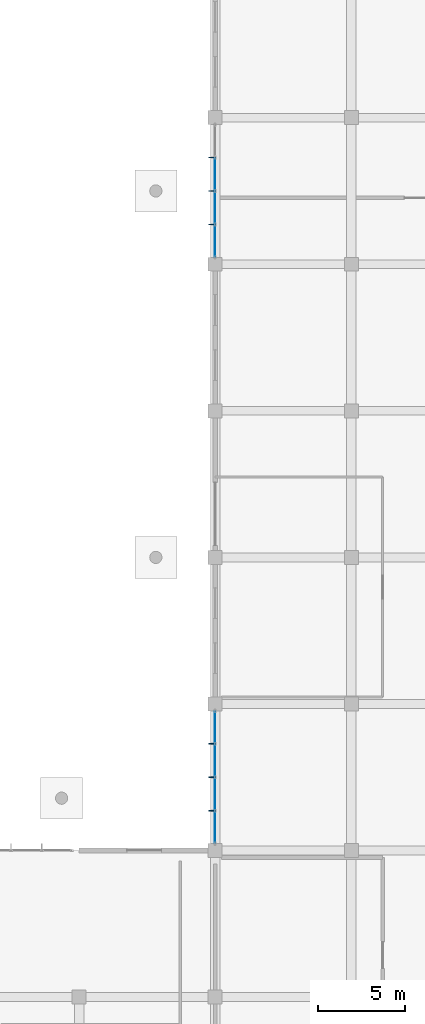
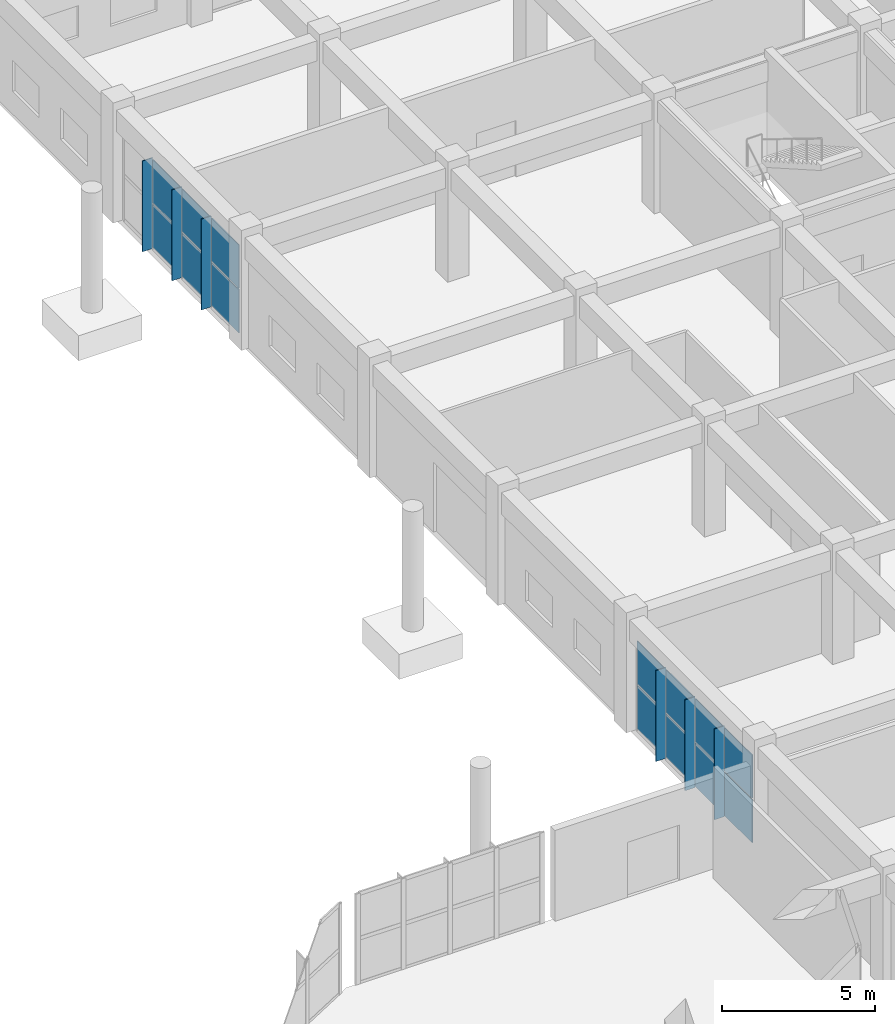
# One storey, part 106 of 139: 20 plates, 2 elements without a shape of their own.
"""IFC4 building model written with IfcOpenShell, lengths in metres."""

from ifc_helpers import new_model, si_unit, direction, frame, origin, origin_2d, place, context, subcontext, project, spatial, polyline, rectangle, outline, extrude, material, layer, layer_set, type_object, element, aggregate, save


model = new_model("IFC4")

# Units and contexts
model_context = context("Model", 3, precision=1e-05, world=origin(), true_north=direction((0.0, 1.0)))
body_context = subcontext(model_context, "Body", "Model", "MODEL_VIEW")
ifc_project = project(units=[si_unit("LENGTHUNIT", "METRE"), si_unit("AREAUNIT", "SQUARE_METRE"), si_unit("VOLUMEUNIT", "CUBIC_METRE"), si_unit("PLANEANGLEUNIT", "RADIAN"), si_unit("MASSUNIT", "GRAM", prefix="KILO")], contexts=[model_context])

# Site, building, storey
site_placement = place(None, origin())
site = spatial("IfcSite", under=ifc_project, at=site_placement, CompositionType="ELEMENT")
building_placement = place(site_placement, origin())
building = spatial("IfcBuilding", under=site, at=building_placement, Name="Zizhar Promenade General Hospital", CompositionType="ELEMENT")
storey_placement = place(building_placement, origin())
storey = spatial("IfcBuildingStorey", under=building, at=storey_placement, Name="L00", CompositionType="ELEMENT", Elevation=0.0)

# Curtain wall, plates
ifc_material_1 = material(Name="Anodised aluminium 6063-T6 and low-E glass", Category="aluminium")
ifc_layer_1 = layer(ifc_material_1, 0.159912109375)
ifc_layer_set_1 = layer_set([ifc_layer_1], Name="Anodised aluminium 6063-T6 and low-E glass")
curtain_wall_type = type_object("IfcCurtainWallType", Name="CW-DT-MOD1", PredefinedType="NOTDEFINED", material=ifc_layer_set_1)
curtain_wall_1_placement = place(storey_placement, origin())
curtain_wall_1 = element("IfcCurtainWall", 1, at=curtain_wall_1_placement, inside=storey, type_object=curtain_wall_type, Name="Surgical West Glazed Curtain Wall L00-10", PredefinedType="NOTDEFINED")
ifc_material_2 = material(Name="Low-E solar-control glass", Category="glass")
ifc_layer_2 = layer(ifc_material_2, 0.031982421875)
ifc_layer_set_2 = layer_set([ifc_layer_2], Name="Low-E solar-control glass")
plate_type_1 = type_object("IfcPlateType", Name="CWP-GLZ-32", PredefinedType="CURTAIN_PANEL", material=ifc_layer_set_2)
plate_1_placement = place(storey_placement, frame((46.800048828125, 85.340087890625, 0.06005859375), z_axis=(0.0, 0.0, 1.0), x_axis=(0.0, 1.0, 0.0)))
plate_1 = element("IfcPlate", 2, at=plate_1_placement, type_object=plate_type_1, Name="CW-07 panel 1.1", PredefinedType="CURTAIN_PANEL", context=body_context, shape_type="SweptSolid", body=[
    extrude(rectangle(XDim=1.800048828125, YDim=0.031982421875, at=origin_2d()), origin(), (0.0, 0.0, 1.0), 1.72509765625),
])
plate_2_placement = place(storey_placement, frame((46.800048828125, 85.340087890625, 1.844970703125), z_axis=(0.0, 0.0, 1.0), x_axis=(0.0, 1.0, 0.0)))
plate_2 = element("IfcPlate", 3, at=plate_2_placement, type_object=plate_type_1, Name="CW-07 panel 1.2", PredefinedType="CURTAIN_PANEL", context=body_context, shape_type="SweptSolid", body=[
    extrude(rectangle(XDim=1.800048828125, YDim=0.031982421875, at=origin_2d()), origin(), (0.0, 0.0, 1.0), 1.72509765625),
])
plate_3_placement = place(storey_placement, frame((46.800048828125, 87.239990234375, 0.06005859375), z_axis=(0.0, 0.0, 1.0), x_axis=(0.0, 1.0, 0.0)))
plate_3 = element("IfcPlate", 4, at=plate_3_placement, type_object=plate_type_1, Name="CW-07 panel 2.1", PredefinedType="CURTAIN_PANEL", context=body_context, shape_type="SweptSolid", body=[
    extrude(rectangle(XDim=1.840087890625, YDim=0.031982421875, at=origin_2d()), origin(), (0.0, 0.0, 1.0), 1.72509765625),
])
plate_4_placement = place(storey_placement, frame((46.800048828125, 87.239990234375, 1.844970703125), z_axis=(0.0, 0.0, 1.0), x_axis=(0.0, 1.0, 0.0)))
plate_4 = element("IfcPlate", 5, at=plate_4_placement, type_object=plate_type_1, Name="CW-07 panel 2.2", PredefinedType="CURTAIN_PANEL", context=body_context, shape_type="SweptSolid", body=[
    extrude(rectangle(XDim=1.840087890625, YDim=0.031982421875, at=origin_2d()), origin(), (0.0, 0.0, 1.0), 1.72509765625),
])
plate_5_placement = place(storey_placement, frame((46.800048828125, 89.159912109375, 0.06005859375), z_axis=(0.0, 0.0, 1.0), x_axis=(0.0, 1.0, 0.0)))
plate_5 = element("IfcPlate", 6, at=plate_5_placement, type_object=plate_type_1, Name="CW-07 panel 3.1", PredefinedType="CURTAIN_PANEL", context=body_context, shape_type="SweptSolid", body=[
    extrude(rectangle(XDim=1.840087890625, YDim=0.031982421875, at=origin_2d()), origin(), (0.0, 0.0, 1.0), 1.72509765625),
])
plate_6_placement = place(storey_placement, frame((46.800048828125, 89.159912109375, 1.844970703125), z_axis=(0.0, 0.0, 1.0), x_axis=(0.0, 1.0, 0.0)))
plate_6 = element("IfcPlate", 7, at=plate_6_placement, type_object=plate_type_1, Name="CW-07 panel 3.2", PredefinedType="CURTAIN_PANEL", context=body_context, shape_type="SweptSolid", body=[
    extrude(rectangle(XDim=1.840087890625, YDim=0.031982421875, at=origin_2d()), origin(), (0.0, 0.0, 1.0), 1.72509765625),
])
plate_7_placement = place(storey_placement, frame((46.800048828125, 91.06005859375, 0.06005859375), z_axis=(0.0, 0.0, 1.0), x_axis=(0.0, 1.0, 0.0)))
plate_7 = element("IfcPlate", 8, at=plate_7_placement, type_object=plate_type_1, Name="CW-07 panel 4.1", PredefinedType="CURTAIN_PANEL", context=body_context, shape_type="SweptSolid", body=[
    extrude(rectangle(XDim=1.800048828125, YDim=0.031982421875, at=origin_2d()), origin(), (0.0, 0.0, 1.0), 1.72509765625),
])
plate_8_placement = place(storey_placement, frame((46.800048828125, 91.06005859375, 1.844970703125), z_axis=(0.0, 0.0, 1.0), x_axis=(0.0, 1.0, 0.0)))
plate_8 = element("IfcPlate", 9, at=plate_8_placement, type_object=plate_type_1, Name="CW-07 panel 4.2", PredefinedType="CURTAIN_PANEL", context=body_context, shape_type="SweptSolid", body=[
    extrude(rectangle(XDim=1.800048828125, YDim=0.031982421875, at=origin_2d()), origin(), (0.0, 0.0, 1.0), 1.72509765625),
])
aggregate(curtain_wall_1, [plate_1, plate_2, plate_3, plate_4, plate_5, plate_6, plate_7, plate_8])

curtain_wall_2_placement = place(storey_placement, origin())
curtain_wall_2 = element("IfcCurtainWall", 10, at=curtain_wall_2_placement, inside=storey, type_object=curtain_wall_type, Name="Surgical West Glazed Curtain Wall L00-14", PredefinedType="NOTDEFINED")
plate_9_placement = place(storey_placement, frame((46.800048828125, 118.93994140625, 0.06005859375), z_axis=(0.0, 0.0, 1.0), x_axis=(0.0, 1.0, 0.0)))
plate_9 = element("IfcPlate", 11, at=plate_9_placement, type_object=plate_type_1, Name="CW-07 panel 1.1", PredefinedType="CURTAIN_PANEL", context=body_context, shape_type="SweptSolid", body=[
    extrude(rectangle(XDim=1.800048828125, YDim=0.031982421875, at=origin_2d()), origin(), (0.0, 0.0, 1.0), 1.72509765625),
])
plate_10_placement = place(storey_placement, frame((46.800048828125, 118.93994140625, 1.844970703125), z_axis=(0.0, 0.0, 1.0), x_axis=(0.0, 1.0, 0.0)))
plate_10 = element("IfcPlate", 12, at=plate_10_placement, type_object=plate_type_1, Name="CW-07 panel 1.2", PredefinedType="CURTAIN_PANEL", context=body_context, shape_type="SweptSolid", body=[
    extrude(rectangle(XDim=1.800048828125, YDim=0.031982421875, at=origin_2d()), origin(), (0.0, 0.0, 1.0), 1.72509765625),
])
plate_11_placement = place(storey_placement, frame((46.800048828125, 120.840087890625, 0.06005859375), z_axis=(0.0, 0.0, 1.0), x_axis=(0.0, 1.0, 0.0)))
plate_11 = element("IfcPlate", 13, at=plate_11_placement, type_object=plate_type_1, Name="CW-07 panel 2.1", PredefinedType="CURTAIN_PANEL", context=body_context, shape_type="SweptSolid", body=[
    extrude(rectangle(XDim=1.840087890625, YDim=0.031982421875, at=origin_2d()), origin(), (0.0, 0.0, 1.0), 1.72509765625),
])
plate_12_placement = place(storey_placement, frame((46.800048828125, 120.840087890625, 1.844970703125), z_axis=(0.0, 0.0, 1.0), x_axis=(0.0, 1.0, 0.0)))
plate_12 = element("IfcPlate", 14, at=plate_12_placement, type_object=plate_type_1, Name="CW-07 panel 2.2", PredefinedType="CURTAIN_PANEL", context=body_context, shape_type="SweptSolid", body=[
    extrude(rectangle(XDim=1.840087890625, YDim=0.031982421875, at=origin_2d()), origin(), (0.0, 0.0, 1.0), 1.72509765625),
])
plate_13_placement = place(storey_placement, frame((46.800048828125, 122.760009765625, 0.06005859375), z_axis=(0.0, 0.0, 1.0), x_axis=(0.0, 1.0, 0.0)))
plate_13 = element("IfcPlate", 15, at=plate_13_placement, type_object=plate_type_1, Name="CW-07 panel 3.1", PredefinedType="CURTAIN_PANEL", context=body_context, shape_type="SweptSolid", body=[
    extrude(rectangle(XDim=1.840087890625, YDim=0.031982421875, at=origin_2d()), origin(), (0.0, 0.0, 1.0), 1.72509765625),
])
plate_14_placement = place(storey_placement, frame((46.800048828125, 122.760009765625, 1.844970703125), z_axis=(0.0, 0.0, 1.0), x_axis=(0.0, 1.0, 0.0)))
plate_14 = element("IfcPlate", 16, at=plate_14_placement, type_object=plate_type_1, Name="CW-07 panel 3.2", PredefinedType="CURTAIN_PANEL", context=body_context, shape_type="SweptSolid", body=[
    extrude(rectangle(XDim=1.840087890625, YDim=0.031982421875, at=origin_2d()), origin(), (0.0, 0.0, 1.0), 1.72509765625),
])
aggregate(curtain_wall_2, [plate_9, plate_10, plate_11, plate_12, plate_13, plate_14])

# Plates
ifc_material_3 = material(Name="Anodised aluminium 6063-T6", Category="aluminium")
ifc_layer_3 = layer(ifc_material_3, 0.035888671875)
ifc_layer_set_3 = layer_set([ifc_layer_3], Name="Anodised aluminium 6063-T6")
plate_type_2 = type_object("IfcPlateType", Name="FIN-ALU-380", PredefinedType="USERDEFINED", material=ifc_layer_set_3)
plate_15_placement = place(storey_placement, origin())
element("IfcPlate", 17, at=plate_15_placement, inside=storey, type_object=plate_type_2, Name="Surgical West Glazed Curtain Wall L00-10 Solar Fin 1", ObjectType="SOLAR_SHADE", PredefinedType="USERDEFINED", context=body_context, shape_type="SweptSolid", body=[
    extrude(outline(polyline([(46.800048828125, 86.261962890625), (46.800048828125, 86.298095703125), (46.419921875, 86.298095703125), (46.419921875, 86.261962890625), (46.800048828125, 86.261962890625)])), origin(), (0.0, 0.0, 1.0), 3.6298828125),
])
plate_16_placement = place(storey_placement, origin())
element("IfcPlate", 18, at=plate_16_placement, inside=storey, type_object=plate_type_2, Name="Surgical West Glazed Curtain Wall L00-10 Solar Fin 2", ObjectType="SOLAR_SHADE", PredefinedType="USERDEFINED", context=body_context, shape_type="SweptSolid", body=[
    extrude(outline(polyline([(46.800048828125, 88.181884765625), (46.800048828125, 88.218017578125), (46.419921875, 88.218017578125), (46.419921875, 88.181884765625), (46.800048828125, 88.181884765625)])), origin(), (0.0, 0.0, 1.0), 3.6298828125),
])
plate_17_placement = place(storey_placement, origin())
element("IfcPlate", 19, at=plate_17_placement, inside=storey, type_object=plate_type_2, Name="Surgical West Glazed Curtain Wall L00-10 Solar Fin 3", ObjectType="SOLAR_SHADE", PredefinedType="USERDEFINED", context=body_context, shape_type="SweptSolid", body=[
    extrude(outline(polyline([(46.800048828125, 90.10205078125), (46.800048828125, 90.137939453125), (46.419921875, 90.137939453125), (46.419921875, 90.10205078125), (46.800048828125, 90.10205078125)])), origin(), (0.0, 0.0, 1.0), 3.6298828125),
])
plate_18_placement = place(storey_placement, origin())
element("IfcPlate", 20, at=plate_18_placement, inside=storey, type_object=plate_type_2, Name="Surgical West Glazed Curtain Wall L00-14 Solar Fin 1", ObjectType="SOLAR_SHADE", PredefinedType="USERDEFINED", context=body_context, shape_type="SweptSolid", body=[
    extrude(outline(polyline([(46.800048828125, 119.862060546875), (46.800048828125, 119.89794921875), (46.419921875, 119.89794921875), (46.419921875, 119.862060546875), (46.800048828125, 119.862060546875)])), origin(), (0.0, 0.0, 1.0), 3.6298828125),
])
plate_19_placement = place(storey_placement, origin())
element("IfcPlate", 21, at=plate_19_placement, inside=storey, type_object=plate_type_2, Name="Surgical West Glazed Curtain Wall L00-14 Solar Fin 2", ObjectType="SOLAR_SHADE", PredefinedType="USERDEFINED", context=body_context, shape_type="SweptSolid", body=[
    extrude(outline(polyline([(46.800048828125, 121.781982421875), (46.800048828125, 121.818115234375), (46.419921875, 121.818115234375), (46.419921875, 121.781982421875), (46.800048828125, 121.781982421875)])), origin(), (0.0, 0.0, 1.0), 3.6298828125),
])
plate_20_placement = place(storey_placement, origin())
element("IfcPlate", 22, at=plate_20_placement, inside=storey, type_object=plate_type_2, Name="Surgical West Glazed Curtain Wall L00-14 Solar Fin 3", ObjectType="SOLAR_SHADE", PredefinedType="USERDEFINED", context=body_context, shape_type="SweptSolid", body=[
    extrude(outline(polyline([(46.800048828125, 123.701904296875), (46.800048828125, 123.738037109375), (46.419921875, 123.738037109375), (46.419921875, 123.701904296875), (46.800048828125, 123.701904296875)])), origin(), (0.0, 0.0, 1.0), 3.6298828125),
])

save(model, "model.ifc")
